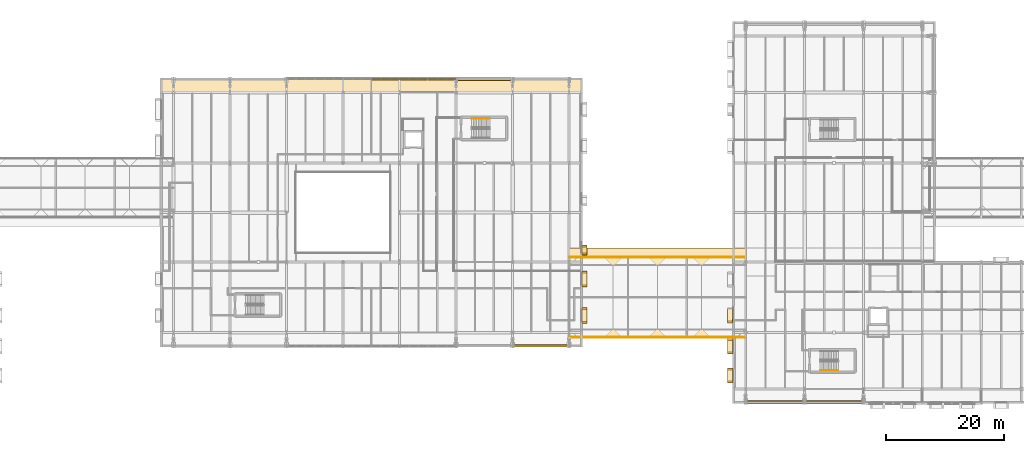
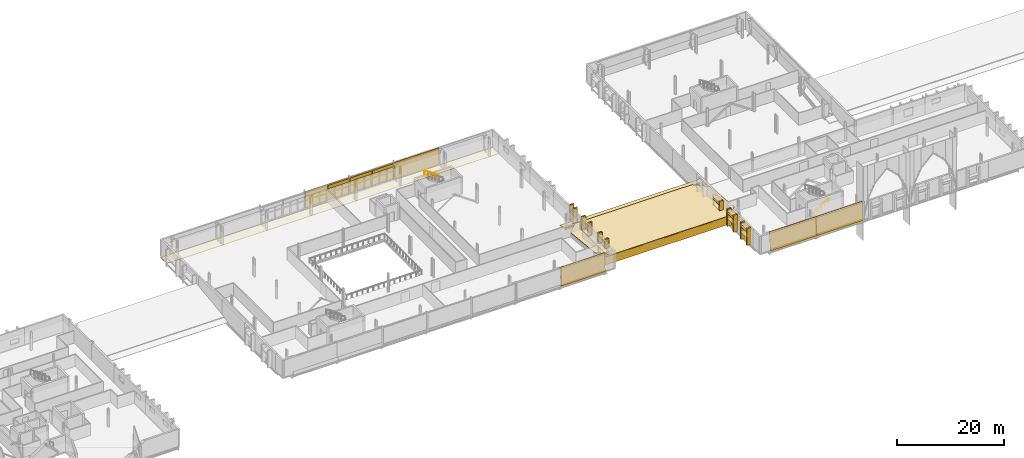
# One storey, part 81 of 90: 35 coverings, 5 shading devices, 2 railings.
"""IFC4 building model written with IfcOpenShell, lengths in metres."""

from ifc_helpers import new_model, si_unit, direction, frame, origin, origin_2d, place, context, subcontext, project, spatial, polyline, rectangle, circle, outline, extrude, material, layer, layer_set, type_object, element, save


model = new_model("IFC4")

# Units and contexts
model_context = context("Model", 3, precision=1e-05, world=origin(), true_north=direction((0.0, 1.0)))
body_context = subcontext(model_context, "Body", "Model", "MODEL_VIEW")
ifc_project = project(units=[si_unit("LENGTHUNIT", "METRE"), si_unit("AREAUNIT", "SQUARE_METRE"), si_unit("VOLUMEUNIT", "CUBIC_METRE"), si_unit("PLANEANGLEUNIT", "RADIAN"), si_unit("MASSUNIT", "GRAM", prefix="KILO")], contexts=[model_context])

# Site, building, storey
site_placement = place(None, origin())
site = spatial("IfcSite", under=ifc_project, at=site_placement, CompositionType="ELEMENT")
building_placement = place(site_placement, origin())
building = spatial("IfcBuilding", under=site, at=building_placement, Name="Zereglee Splitstone Museum", CompositionType="ELEMENT")
storey_placement = place(building_placement, frame((0.0, 0.0, 4.800048828125)))
storey = spatial("IfcBuildingStorey", under=building, at=storey_placement, Name="L01", CompositionType="ELEMENT", Elevation=4.800048828125)

# Coverings
ifc_material_1 = material(Name="Honed Gobi pale limestone stringcourse and soffit cladding", Category="masonry")
ifc_layer_1 = layer(ifc_material_1, 0.070068359375)
ifc_layer_set_1 = layer_set([ifc_layer_1], Name="Honed Gobi pale limestone stringcourse and soffit cladding")
covering_type_1 = type_object("IfcCoveringType", Name="CL-02", PredefinedType="CLADDING", material=ifc_layer_set_1)
covering_1_placement = place(storey_placement, frame((172.574951171875, 11.360107421875, 0.0), z_axis=(0.0, 0.0, 1.0), x_axis=(0.0, -1.0, 0.0)))
element("IfcCovering", 1, at=covering_1_placement, inside=storey, type_object=covering_type_1, Name="Mughal Window Reveal Stone Pilaster L01-0002R", PredefinedType="CLADDING", context=body_context, shape_type="SweptSolid", body=[
    extrude(rectangle(XDim=0.340087890625, YDim=0.860107421875, at=origin_2d()), origin(), (0.0, 0.0, 1.0), 3.89990234375),
])
covering_2_placement = place(storey_placement, frame((172.56494140625, 12.47998046875, 1.659912109375), z_axis=(0.0, 0.0, 1.0), x_axis=(0.0, -1.0, 0.0)))
element("IfcCovering", 2, at=covering_2_placement, inside=storey, type_object=covering_type_1, Name="Carved Limestone Window Sill L01-0002", PredefinedType="CLADDING", context=body_context, shape_type="SweptSolid", body=[
    extrude(rectangle(XDim=2.43994140625, YDim=0.840087890625, at=origin_2d()), origin(), (0.0, 0.0, 1.0), 0.1201171875),
])
for number, where, z_axis, x_axis, name in (
    (3, (172.574951171875, 8.409912109375, 0.0), (0.0, 0.0, 1.0), (0.0, -1.0, 0.0), "Mughal Window Reveal Stone Pilaster L01-0003L"),
    (4, (172.574951171875, 6.169921875, 0.0), (0.0, 0.0, 1.0), (0.0, -1.0, 0.0), "Mughal Window Reveal Stone Pilaster L01-0003R"),
):
    element("IfcCovering", number, at=place(storey_placement, frame(where, z_axis=z_axis, x_axis=x_axis)), inside=storey, type_object=covering_type_1, Name=name, PredefinedType="CLADDING", context=body_context, shape_type="SweptSolid", body=[
        extrude(rectangle(XDim=0.340087890625, YDim=0.860107421875, at=origin_2d()), origin(), (0.0, 0.0, 1.0), 3.89990234375),
    ])
covering_3_placement = place(storey_placement, frame((172.56494140625, 7.2900390625, 1.659912109375), z_axis=(0.0, 0.0, 1.0), x_axis=(0.0, -1.0, 0.0)))
element("IfcCovering", 5, at=covering_3_placement, inside=storey, type_object=covering_type_1, Name="Carved Limestone Window Sill L01-0003", PredefinedType="CLADDING", context=body_context, shape_type="SweptSolid", body=[
    extrude(rectangle(XDim=2.43994140625, YDim=0.840087890625, at=origin_2d()), origin(), (0.0, 0.0, 1.0), 0.1201171875),
])
for number, where, z_axis, x_axis, name in (
    (6, (172.574951171875, 3.429931640625, 0.0), (0.0, 0.0, 1.0), (0.0, -1.0, 0.0), "Mughal Window Reveal Stone Pilaster L01-0004L"),
    (7, (172.574951171875, 1.18994140625, 0.0), (0.0, 0.0, 1.0), (0.0, -1.0, 0.0), "Mughal Window Reveal Stone Pilaster L01-0004R"),
):
    element("IfcCovering", number, at=place(storey_placement, frame(where, z_axis=z_axis, x_axis=x_axis)), inside=storey, type_object=covering_type_1, Name=name, PredefinedType="CLADDING", context=body_context, shape_type="SweptSolid", body=[
        extrude(rectangle(XDim=0.340087890625, YDim=0.860107421875, at=origin_2d()), origin(), (0.0, 0.0, 1.0), 3.89990234375),
    ])
covering_4_placement = place(storey_placement, frame((172.56494140625, 2.31005859375, 1.659912109375), z_axis=(0.0, 0.0, 1.0), x_axis=(0.0, -1.0, 0.0)))
element("IfcCovering", 8, at=covering_4_placement, inside=storey, type_object=covering_type_1, Name="Carved Limestone Window Sill L01-0004", PredefinedType="CLADDING", context=body_context, shape_type="SweptSolid", body=[
    extrude(rectangle(XDim=2.43994140625, YDim=0.840087890625, at=origin_2d()), origin(), (0.0, 0.0, 1.0), 0.1201171875),
])
for number, where, z_axis, x_axis, name in (
    (9, (123.6201171875, 52.679931640625, 2.925048828125), (0.0, 0.0, 1.0), (-1.0, 0.0, 0.0), "Mughal Carved Clerestory Jaali Frieze RC4-CW-L01-096-1"),
    (10, (118.780029296875, 52.679931640625, 2.905029296875), (0.0, 0.0, 1.0), (-1.0, 0.0, 0.0), "Mughal Carved Clerestory Jaali Frieze RC4-CW-L01-096-2"),
    (11, (114.02001953125, 52.679931640625, 2.864990234375), (0.0, 0.0, 1.0), (-1.0, 0.0, 0.0), "Mughal Carved Clerestory Jaali Frieze RC4-CW-L01-097-1"),
):
    element("IfcCovering", number, at=place(storey_placement, frame(where, z_axis=z_axis, x_axis=x_axis)), inside=storey, type_object=covering_type_1, Name=name, PredefinedType="CLADDING", context=body_context, shape_type="SweptSolid", body=[
        extrude(rectangle(XDim=4.679931640625, YDim=0.239990234375, at=origin_2d()), origin(), (0.0, 0.0, 1.0), 0.75),
    ])
for number, where, z_axis, x_axis, name in (
    (12, (147.824951171875, 11.31494140625, 0.0), (0.0, 0.0, 1.0), (0.0, 1.0, 0.0), "Mughal Window Reveal Stone Pilaster L01-0036L"),
    (13, (147.824951171875, 13.705078125, 0.0), (0.0, 0.0, 1.0), (0.0, 1.0, 0.0), "Mughal Window Reveal Stone Pilaster L01-0036R"),
):
    element("IfcCovering", number, at=place(storey_placement, frame(where, z_axis=z_axis, x_axis=x_axis)), inside=storey, type_object=covering_type_1, Name=name, PredefinedType="CLADDING", context=body_context, shape_type="SweptSolid", body=[
        extrude(rectangle(XDim=0.340087890625, YDim=0.860107421875, at=origin_2d()), origin(), (0.0, 0.0, 1.0), 3.89990234375),
    ])
covering_5_placement = place(storey_placement, frame((147.8349609375, 12.510009765625, 0.760009765625), z_axis=(0.0, 0.0, 1.0), x_axis=(0.0, 1.0, 0.0)))
element("IfcCovering", 14, at=covering_5_placement, inside=storey, type_object=covering_type_1, Name="Carved Limestone Window Sill L01-0036", PredefinedType="CLADDING", context=body_context, shape_type="SweptSolid", body=[
    extrude(rectangle(XDim=2.590087890625, YDim=0.840087890625, at=origin_2d()), origin(), (0.0, 0.0, 1.0), 0.1201171875),
])
for number, where, z_axis, x_axis, name in (
    (15, (147.824951171875, 17.4951171875, 0.0), (0.0, 0.0, 1.0), (0.0, 1.0, 0.0), "Mughal Window Reveal Stone Pilaster L01-0037L"),
    (16, (147.824951171875, 19.885009765625, 0.0), (0.0, 0.0, 1.0), (0.0, 1.0, 0.0), "Mughal Window Reveal Stone Pilaster L01-0037R"),
):
    element("IfcCovering", number, at=place(storey_placement, frame(where, z_axis=z_axis, x_axis=x_axis)), inside=storey, type_object=covering_type_1, Name=name, PredefinedType="CLADDING", context=body_context, shape_type="SweptSolid", body=[
        extrude(rectangle(XDim=0.340087890625, YDim=0.860107421875, at=origin_2d()), origin(), (0.0, 0.0, 1.0), 3.89990234375),
    ])
covering_6_placement = place(storey_placement, frame((147.8349609375, 18.68994140625, 0.760009765625), z_axis=(0.0, 0.0, 1.0), x_axis=(0.0, 1.0, 0.0)))
element("IfcCovering", 17, at=covering_6_placement, inside=storey, type_object=covering_type_1, Name="Carved Limestone Window Sill L01-0037", PredefinedType="CLADDING", context=body_context, shape_type="SweptSolid", body=[
    extrude(rectangle(XDim=2.590087890625, YDim=0.840087890625, at=origin_2d()), origin(), (0.0, 0.0, 1.0), 0.1201171875),
])
for number, where, z_axis, x_axis, name in (
    (18, (147.824951171875, 22.93994140625, 0.0), (0.0, 0.0, 1.0), (0.0, 1.0, 0.0), "Mughal Window Reveal Stone Pilaster L01-0038L"),
    (19, (147.824951171875, 24.280029296875, 0.0), (0.0, 0.0, 1.0), (0.0, 1.0, 0.0), "Mughal Window Reveal Stone Pilaster L01-0038R"),
):
    element("IfcCovering", number, at=place(storey_placement, frame(where, z_axis=z_axis, x_axis=x_axis)), inside=storey, type_object=covering_type_1, Name=name, PredefinedType="CLADDING", context=body_context, shape_type="SweptSolid", body=[
        extrude(rectangle(XDim=0.340087890625, YDim=0.860107421875, at=origin_2d()), origin(), (0.0, 0.0, 1.0), 3.89990234375),
    ])
covering_7_placement = place(storey_placement, frame((147.8349609375, 23.610107421875, 0.760009765625), z_axis=(0.0, 0.0, 1.0), x_axis=(0.0, 1.0, 0.0)))
element("IfcCovering", 20, at=covering_7_placement, inside=storey, type_object=covering_type_1, Name="Carved Limestone Window Sill L01-0038", PredefinedType="CLADDING", context=body_context, shape_type="SweptSolid", body=[
    extrude(rectangle(XDim=1.5400390625, YDim=0.840087890625, at=origin_2d()), origin(), (0.0, 0.0, 1.0), 0.1201171875),
])
covering_8_placement = place(storey_placement, frame((0.0, 0.0, -0.35009765625)))
element("IfcCovering", 21, at=covering_8_placement, inside=storey, type_object=covering_type_1, Name="Hovering Stone Plinth Soffit Apron 006", PredefinedType="CLADDING", context=body_context, shape_type="SweptSolid", body=[
    extrude(outline(polyline([(75.800048828125, 50.449951171875), (147.39990234375, 50.449951171875), (147.39990234375, 52.800048828125), (75.800048828125, 52.800048828125), (75.800048828125, 50.449951171875)])), origin(), (0.0, 0.0, 1.0), 0.070068359375),
])
covering_9_placement = place(storey_placement, frame((135.60009765625, 7.114990234375, -0.150146484375), z_axis=(0.0, -0.995859600442, 0.090904654488), x_axis=(1.0, 0.0, 0.0)))
element("IfcCovering", 22, at=covering_9_placement, inside=storey, type_object=covering_type_1, Name="Split-Rock Continuous Inclined Facet FH-V2SE L01.2", PredefinedType="CLADDING", context=body_context, shape_type="SweptSolid", body=[
    extrude(outline(polyline([(0.0, 0.0), (9.599853515625, 0.0), (9.599853515625, 4.117144278601649), (0.0, 4.117144278601649), (0.0, 0.0)])), origin(), (0.0, 0.0, -1.0), 0.070068359375),
])
ifc_material_2 = material(Name="Honed Khoroo red sandstone ventilated rainscreen", Category="masonry")
ifc_layer_2 = layer(ifc_material_2, 0.080078125)
ifc_layer_set_2 = layer_set([ifc_layer_2], Name="Honed Khoroo red sandstone ventilated rainscreen")
covering_type_2 = type_object("IfcCoveringType", Name="CL-01", PredefinedType="CLADDING", material=ifc_layer_set_2)
for number, where, z_axis, x_axis, name in (
    (23, (172.56494140625, 12.47998046875, 2.9599609375), (0.0, 0.0, 1.0), (0.0, -1.0, 0.0), "Pointed-Arch Mughal Window Hood L01-0002"),
    (24, (172.56494140625, 7.2900390625, 2.9599609375), (0.0, 0.0, 1.0), (0.0, -1.0, 0.0), "Pointed-Arch Mughal Window Hood L01-0003"),
    (25, (172.56494140625, 2.31005859375, 2.9599609375), (0.0, 0.0, 1.0), (0.0, -1.0, 0.0), "Pointed-Arch Mughal Window Hood L01-0004"),
):
    element("IfcCovering", number, at=place(storey_placement, frame(where, z_axis=z_axis, x_axis=x_axis)), inside=storey, type_object=covering_type_2, Name=name, PredefinedType="CLADDING", context=body_context, shape_type="SweptSolid", body=[
        extrude(rectangle(XDim=2.43994140625, YDim=0.860107421875, at=origin_2d()), origin(), (0.0, 0.0, 1.0), 0.580078125),
    ])
for number, where, z_axis, x_axis, name in (
    (26, (147.8349609375, 12.510009765625, 2.760009765625), (0.0, 0.0, 1.0), (0.0, 1.0, 0.0), "Pointed-Arch Mughal Window Hood L01-0036"),
    (27, (147.8349609375, 18.68994140625, 2.760009765625), (0.0, 0.0, 1.0), (0.0, 1.0, 0.0), "Pointed-Arch Mughal Window Hood L01-0037"),
):
    element("IfcCovering", number, at=place(storey_placement, frame(where, z_axis=z_axis, x_axis=x_axis)), inside=storey, type_object=covering_type_2, Name=name, PredefinedType="CLADDING", context=body_context, shape_type="SweptSolid", body=[
        extrude(rectangle(XDim=2.590087890625, YDim=0.860107421875, at=origin_2d()), origin(), (0.0, 0.0, 1.0), 0.580078125),
    ])
covering_10_placement = place(storey_placement, frame((147.8349609375, 23.610107421875, 2.059814453125), z_axis=(0.0, 0.0, 1.0), x_axis=(0.0, 1.0, 0.0)))
element("IfcCovering", 28, at=covering_10_placement, inside=storey, type_object=covering_type_2, Name="Pointed-Arch Mughal Window Hood L01-0038", PredefinedType="CLADDING", context=body_context, shape_type="SweptSolid", body=[
    extrude(rectangle(XDim=1.5400390625, YDim=0.860107421875, at=origin_2d()), origin(), (0.0, 0.0, 1.0), 0.580078125),
])
covering_11_placement = place(storey_placement, frame((126.0, 52.545654296875, 3.949951171875), z_axis=(0.0, 0.995859600442, 0.090904654488), x_axis=(1.0, 0.0, 0.0)))
element("IfcCovering", 29, at=covering_11_placement, inside=storey, type_object=covering_type_2, Name="Split-Rock Continuous Inclined Facet FH-V2NE L01.1", PredefinedType="CLADDING", context=body_context, shape_type="SweptSolid", body=[
    extrude(outline(polyline([(0.0, 0.0), (9.60009765625, 0.0), (9.60009765625, 4.117144278601649), (0.0, 4.117144278601649), (0.0, 0.0)])), origin(), (0.0, 0.0, -1.0), 0.080078125),
])
for number, where, z_axis, x_axis, name in (
    (30, (175.199951171875, -2.4951171875, -0.150146484375), (0.0, -0.993707135453, 0.112009503835), (1.0, 0.0, 0.0), "Split-Rock Continuous Inclined Facet FH-V3S L01.1"),
    (31, (185.199951171875, -2.4951171875, -0.150146484375), (0.0, -0.993707135453, 0.112009503835), (1.0, 0.0, 0.0), "Split-Rock Continuous Inclined Facet FH-V3S L01.2"),
):
    element("IfcCovering", number, at=place(storey_placement, frame(where, z_axis=z_axis, x_axis=x_axis)), inside=storey, type_object=covering_type_2, Name=name, PredefinedType="CLADDING", context=body_context, shape_type="SweptSolid", body=[
        extrude(outline(polyline([(0.0, 0.0), (10.0, 0.0), (10.0, 4.126062408095941), (0.0, 4.126062408095941), (0.0, 0.0)])), origin(), (0.0, 0.0, -1.0), 0.080078125),
    ])
covering_12_placement = place(storey_placement, frame((145.35009765625, 8.75, 0.0), z_axis=(0.0, -1.0, 0.0), x_axis=(1.0, 0.0, 0.0)))
element("IfcCovering", 32, at=covering_12_placement, inside=storey, type_object=covering_type_2, Name="Raked Attic Split-Rock Cladding RF-L2 S", PredefinedType="CLADDING", context=body_context, shape_type="SweptSolid", body=[
    extrude(outline(polyline([(0.0, 0.0), (29.699951171875, 0.0), (29.699951171875, 1.859375), (0.0, 1.859375), (0.0, 0.0)])), origin(), (0.0, 0.0, -1.0), 0.1201171875),
])
covering_13_placement = place(storey_placement, frame((145.35009765625, 22.449951171875, 0.4306640625), z_axis=(0.0, 1.0, 0.0), x_axis=(1.0, 0.0, 0.0)))
element("IfcCovering", 33, at=covering_13_placement, inside=storey, type_object=covering_type_2, Name="Raked Attic Split-Rock Cladding RF-L2 N", PredefinedType="CLADDING", context=body_context, shape_type="SweptSolid", body=[
    extrude(outline(polyline([(0.0, 0.0), (29.699951171875, 0.0), (29.699951171875, 0.4306640625), (0.0, 0.4306640625), (0.0, 0.0)])), origin(), (0.0, 0.0, -1.0), 0.1201171875),
])

# Railings
ifc_material_3 = material(Name="Architectural bronze tubular handrail", Category="steel")
railing_type = type_object("IfcRailingType", Name="HR-01", PredefinedType="HANDRAIL", material=ifc_material_3)
railing_1_placement = place(storey_placement, frame((131.72998046875, 45.949951171875, 2.27490234375)))
element("IfcRailing", 34, at=railing_1_placement, inside=storey, type_object=railing_type, Name="L01 ST-03 stair handrail 2", PredefinedType="HANDRAIL", context=body_context, shape_type="SweptSolid", body=[
    extrude(circle(Radius=0.02392578125, at=origin_2d()), frame((0.0, 0.0, 0.8759765625), z_axis=(-0.847998304005, 0.0, 0.529998940003), x_axis=(0.0, -1.0, 0.0)), (0.0, 0.0, 1.0), 3.632080078125),
    extrude(circle(Radius=0.02099609375, at=origin_2d()), origin(), (0.0, 0.0, 1.0), 0.851806640625),
    extrude(circle(Radius=0.02099609375, at=origin_2d()), frame((-0.77001953125, 0.0, 0.481201171875)), (0.0, 0.0, 1.0), 0.851806640625),
    extrude(circle(Radius=0.02099609375, at=origin_2d()), frame((-1.5400390625, 0.0, 0.96240234375)), (0.0, 0.0, 1.0), 0.851806640625),
    extrude(circle(Radius=0.02099609375, at=origin_2d()), frame((-2.31005859375, 0.0, 1.44384765625)), (0.0, 0.0, 1.0), 0.851806640625),
    extrude(circle(Radius=0.02099609375, at=origin_2d()), frame((-3.080078125, 0.0, 1.925048828125)), (0.0, 0.0, 1.0), 0.851806640625),
])
railing_2_placement = place(storey_placement, frame((187.85009765625, 3.14990234375, 0.175048828125)))
element("IfcRailing", 35, at=railing_2_placement, inside=storey, type_object=railing_type, Name="L01 ST-04 stair handrail 1", PredefinedType="HANDRAIL", context=body_context, shape_type="SweptSolid", body=[
    extrude(circle(Radius=0.02392578125, at=origin_2d()), frame((0.0, 0.0, 0.8759765625), z_axis=(0.848009633417, 0.0, 0.529980812513), x_axis=(0.0, 1.0, 0.0)), (0.0, 0.0, 1.0), 3.6318359375),
    extrude(circle(Radius=0.02099609375, at=origin_2d()), origin(), (0.0, 0.0, 1.0), 0.851806640625),
    extrude(circle(Radius=0.02099609375, at=origin_2d()), frame((0.77001953125, 0.0, 0.481201171875)), (0.0, 0.0, 1.0), 0.851806640625),
    extrude(circle(Radius=0.02099609375, at=origin_2d()), frame((1.5400390625, 0.0, 0.96240234375)), (0.0, 0.0, 1.0), 0.851806640625),
    extrude(circle(Radius=0.02099609375, at=origin_2d()), frame((2.309814453125, 0.0, 1.443603515625)), (0.0, 0.0, 1.0), 0.851806640625),
    extrude(circle(Radius=0.02099609375, at=origin_2d()), frame((3.079833984375, 0.0, 1.9248046875)), (0.0, 0.0, 1.0), 0.851806640625),
])

# Shading devices
ifc_material_4 = material(Name="Patinated architectural bronze CuSn8 geometric jali screen")
ifc_layer_3 = layer(ifc_material_4, 0.06005859375)
ifc_layer_set_3 = layer_set([ifc_layer_3], Name="Patinated architectural bronze CuSn8 geometric jali screen")
shading_device_type_1 = type_object("IfcShadingDeviceType", Name="JL-01", PredefinedType="USERDEFINED", material=ifc_layer_set_3)
for number, where, z_axis, x_axis, name in (
    (36, (125.949951171875, 52.760009765625, 0.119873046875), (0.0, 1.0, 0.0), (-1.0, 0.0, 0.0), "Bronze Mughal Jali Screen 13"),
    (37, (116.35009765625, 52.760009765625, 0.119873046875), (0.0, 1.0, 0.0), (-1.0, 0.0, 0.0), "Bronze Mughal Jali Screen 14"),
):
    element("IfcShadingDevice", number, at=place(storey_placement, frame(where, z_axis=z_axis, x_axis=x_axis)), inside=storey, type_object=shading_device_type_1, Name=name, ObjectType="SCREEN", PredefinedType="USERDEFINED", context=body_context, shape_type="SweptSolid", body=[
        extrude(outline(polyline([(0.0, 0.0), (9.5, 0.0), (9.5, 3.66015625), (0.0, 3.66015625), (0.0, 0.0)])), origin(), (0.0, 0.0, 1.0), 0.06005859375),
    ])

# Coverings
ifc_material_5 = material(Name="Honed Khoroo red sandstone chhajja eave coping", Category="masonry")
ifc_layer_4 = layer(ifc_material_5, 0.110107421875)
ifc_layer_set_4 = layer_set([ifc_layer_4], Name="Honed Khoroo red sandstone chhajja eave coping")
covering_type_3 = type_object("IfcCoveringType", Name="RF-C2", PredefinedType="ROOFING", material=ifc_layer_set_4)
covering_14_placement = place(storey_placement, frame((145.199951171875, 22.449951171875, 0.510009765625), z_axis=(0.0, 0.202223039102, 0.979339492952), x_axis=(1.0, 0.0, 0.0)))
element("IfcCovering", 38, at=covering_14_placement, inside=storey, type_object=covering_type_3, Name="Projecting Mughal Chhajja Stone Eave RF-L2", PredefinedType="ROOFING", context=body_context, shape_type="SweptSolid", body=[
    extrude(outline(polyline([(0.0, 0.0), (30.0, 0.0), (30.0, 1.582749229740672), (0.0, 1.582749229740672), (0.0, 0.0)])), origin(), (0.0, 0.0, -1.0), 0.110107421875),
])
ifc_material_6 = material(Name="Pre-weathered quartz-zinc standing-seam roofing on rigid PIR insulation")
ifc_layer_5 = layer(ifc_material_6, 0.1201171875)
ifc_layer_set_5 = layer_set([ifc_layer_5], Name="Pre-weathered quartz-zinc standing-seam roofing on rigid PIR insulation")
covering_type_4 = type_object("IfcCoveringType", Name="RF-C1", PredefinedType="ROOFING", material=ifc_layer_set_5)
covering_15_placement = place(storey_placement, frame((147.60009765625, 8.60009765625, 2.06494140625), z_axis=(0.0, 0.103720905459, 0.994606441649), x_axis=(1.0, 0.0, 0.0)))
element("IfcCovering", 39, at=covering_15_placement, inside=storey, type_object=covering_type_4, Name="Standing-Seam Zinc Roof Covering RF-L2", PredefinedType="ROOFING", context=body_context, shape_type="SweptSolid", body=[
    extrude(outline(polyline([(0.0, 0.0), (25.199951171875, 0.0), (27.599853515625, 2.4129138792750195), (27.599853515625, 11.662761950352557), (25.199951171875, 14.07591865346587), (0.0, 14.07591865346587), (-2.400146484375, 11.662761950352557), (-2.400146484375, 2.4129138792750195), (0.0, 0.0)])), origin(), (0.0, 0.0, -1.0), 0.1201171875),
])

# Shading devices
ifc_material_7 = material(Name="Anodised bronze extruded aluminium chhajja brise-soleil", Category="aluminium")
ifc_layer_6 = layer(ifc_material_7, 0.080078125)
ifc_layer_set_6 = layer_set([ifc_layer_6], Name="Anodised bronze extruded aluminium chhajja brise-soleil")
shading_device_type_2 = type_object("IfcShadingDeviceType", Name="SH-01", PredefinedType="SHUTTER", material=ifc_layer_set_6)
for number, where, z_axis, x_axis, name in (
    (40, (172.56494140625, 12.47998046875, 3.039794921875), (0.0, 0.0, 1.0), (0.0, -1.0, 0.0), "Chhajja Window Brise-Soleil 02"),
    (41, (172.56494140625, 7.2900390625, 3.039794921875), (0.0, 0.0, 1.0), (0.0, -1.0, 0.0), "Chhajja Window Brise-Soleil 03"),
    (42, (172.56494140625, 2.31005859375, 3.039794921875), (0.0, 0.0, 1.0), (0.0, -1.0, 0.0), "Chhajja Window Brise-Soleil 04"),
):
    element("IfcShadingDevice", number, at=place(storey_placement, frame(where, z_axis=z_axis, x_axis=x_axis)), inside=storey, type_object=shading_device_type_2, Name=name, PredefinedType="SHUTTER", context=body_context, shape_type="SweptSolid", body=[
        extrude(rectangle(XDim=2.199951171875, YDim=0.97998046875, at=origin_2d()), origin(), (0.0, 0.0, 1.0), 0.080078125),
    ])

save(model, "model.ifc")
